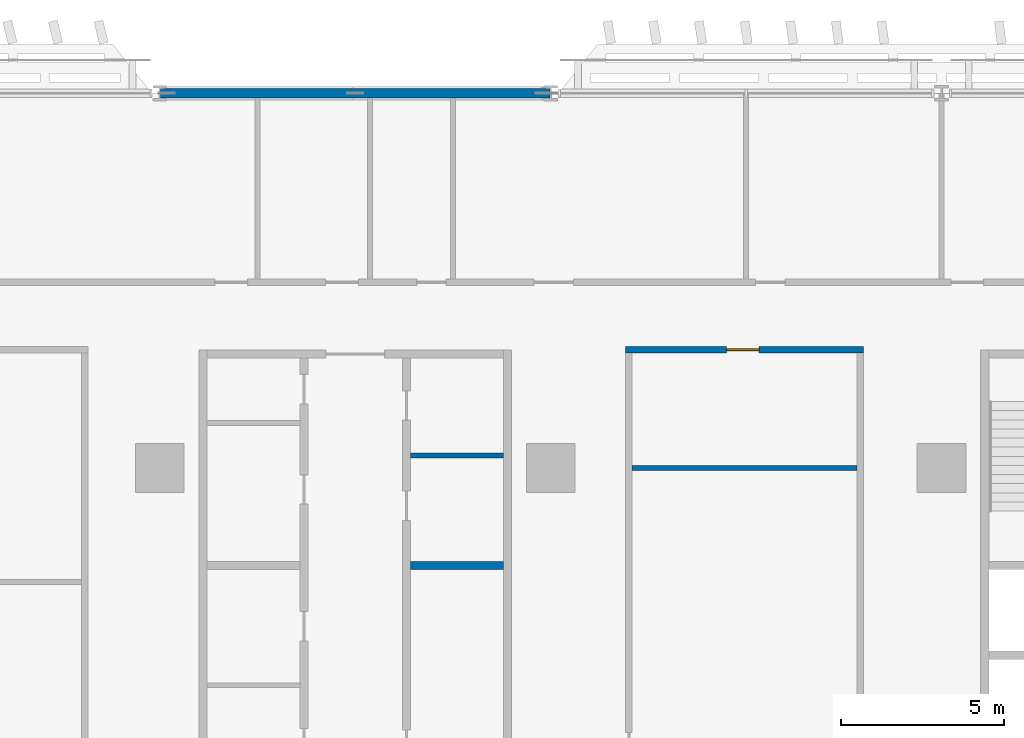
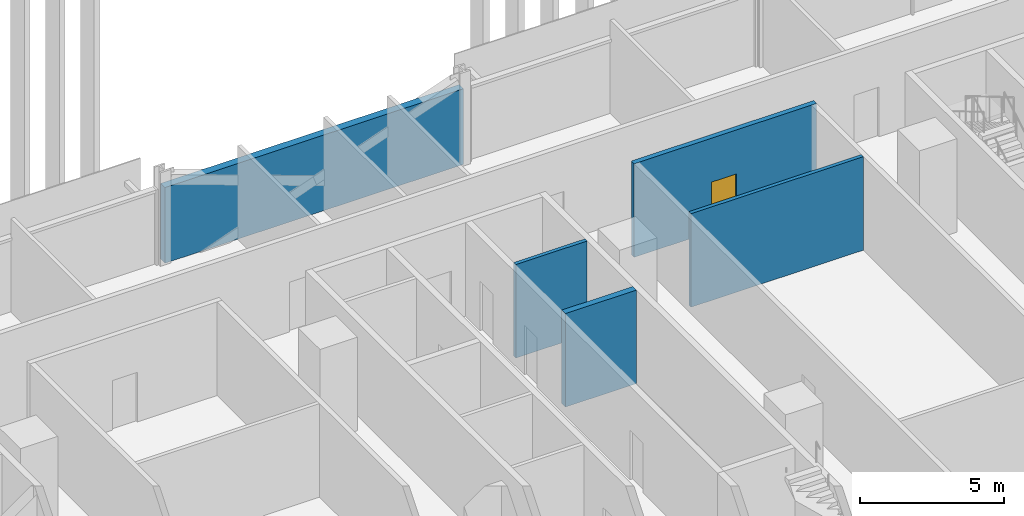
# One storey, part 12 of 29: 5 walls, 1 door, 1 opening.
"""IFC4 building model written with IfcOpenShell, lengths in metres."""

from ifc_helpers import new_model, si_unit, direction, frame, frame_2d, origin, place, context, subcontext, project, spatial, rectangle, extrude, material, layer, layer_set, type_object, element, fill, save


model = new_model("IFC4")

# Units and contexts
model_context = context("Model", 3, precision=1e-05, world=origin(), true_north=direction((0.0, 1.0)))
body_context = subcontext(model_context, "Body", "Model", "MODEL_VIEW")
ifc_project = project(units=[si_unit("LENGTHUNIT", "METRE"), si_unit("AREAUNIT", "SQUARE_METRE"), si_unit("VOLUMEUNIT", "CUBIC_METRE"), si_unit("PLANEANGLEUNIT", "RADIAN"), si_unit("MASSUNIT", "GRAM", prefix="KILO")], contexts=[model_context])

# Site, building, storey
site_placement = place(None, origin())
site = spatial("IfcSite", under=ifc_project, at=site_placement, CompositionType="ELEMENT")
building_placement = place(site_placement, origin())
building = spatial("IfcBuilding", under=site, at=building_placement, Name="Mahtab Terrace Research Tower", CompositionType="ELEMENT")
storey_placement = place(building_placement, frame((0.0, 0.0, 46.0)))
storey = spatial("IfcBuildingStorey", under=building, at=storey_placement, Name="L10", CompositionType="ELEMENT", Elevation=46.0)

# Walls
ifc_material_1 = material(Name="Gypsum board partition")
ifc_layer_1 = layer(ifc_material_1, 0.14990234375)
ifc_layer_set_1 = layer_set([ifc_layer_1], Name="Core partition 150")
wall_type_1 = type_object("IfcWallType", Name="Core partition 150", PredefinedType="PARTITIONING", material=ifc_layer_set_1)
wall_1_placement = place(storey_placement, frame((1.699951171875, 11.875, 0.0), z_axis=(0.0, 0.0, 1.0), x_axis=(1.0, 0.0, 0.0)))
element("IfcWall", 1, at=wall_1_placement, inside=storey, type_object=wall_type_1, Name="Core wall B pEN888", PredefinedType="PARTITIONING", context=body_context, shape_type="SweptSolid", body=[
    extrude(rectangle(XDim=2.85009765625, YDim=0.14990234375, at=frame_2d((1.425048828125, 0.0))), origin(), (0.0, 0.0, 1.0), 3.9599609375),
])
ifc_material_2 = material(Name="Concrete C70/85", Category="concrete")
ifc_layer_2 = layer(ifc_material_2, 0.25)
ifc_layer_set_2 = layer_set([ifc_layer_2], Name="Core wall 250")
wall_type_2 = type_object("IfcWallType", Name="Core wall 250", PredefinedType="SOLIDWALL", material=ifc_layer_set_2)
wall_2_placement = place(storey_placement, frame((1.699951171875, 8.5, 0.0), z_axis=(0.0, 0.0, 1.0), x_axis=(1.0, 0.0, 0.0)))
element("IfcWall", 2, at=wall_2_placement, inside=storey, type_object=wall_type_2, Name="Core wall B divE4", PredefinedType="SOLIDWALL", context=body_context, shape_type="SweptSolid", body=[
    extrude(rectangle(XDim=2.85009765625, YDim=0.25, at=frame_2d((1.425048828125, 0.0))), origin(), (0.0, 0.0, 1.0), 3.9599609375),
])
ifc_material_3 = material(Name="Black aluminium cladding panel", Category="aluminium")
ifc_layer_3 = layer(ifc_material_3, 0.300048828125)
ifc_layer_set_3 = layer_set([ifc_layer_3], Name="Opaque facade wall 300")
wall_type_3 = type_object("IfcWallType", Name="Opaque facade wall 300", PredefinedType="NOTDEFINED", material=ifc_layer_set_3)
wall_3_placement = place(storey_placement, frame((5.97607421875, 23.0, 0.0), z_axis=(0.0, 0.0, 1.0), x_axis=(-1.0, 0.0, 0.0)))
element("IfcWall", 3, at=wall_3_placement, inside=storey, type_object=wall_type_3, Name="Opaque facade wall L10 N7", PredefinedType="NOTDEFINED", context=body_context, shape_type="SweptSolid", body=[
    extrude(rectangle(XDim=11.9521484375, YDim=0.300048828125, at=frame_2d((5.97607421875, 0.0))), origin(), (0.0, 0.0, 1.0), 3.203125),
])

# Wall, opening, door
ifc_material_4 = material(Name="Gypsum board corridor wall on steel studs", Category="steel")
ifc_layer_4 = layer(ifc_material_4, 0.199951171875)
ifc_layer_set_4 = layer_set([ifc_layer_4], Name="WALL CORRIDOR 200")
wall_type_4 = type_object("IfcWallType", Name="WALL CORRIDOR 200", PredefinedType="PARTITIONING", material=ifc_layer_set_4)
wall_4_placement = place(storey_placement, frame((8.300048828125, 15.125, 0.0), z_axis=(0.0, 0.0, 1.0), x_axis=(1.0, 0.0, 0.0)))
wall_4 = element("IfcWall", 4, at=wall_4_placement, inside=storey, type_object=wall_type_4, Name="L10-W024", PredefinedType="PARTITIONING", context=body_context, shape_type="SweptSolid", body=[
    extrude(rectangle(XDim=7.300048828125, YDim=0.199951171875, at=frame_2d((3.64990234375, 0.0))), origin(), (0.0, 0.0, 1.0), 3.9599609375),
])
opening_placement = place(wall_4_placement, frame((3.10009765625, 0.0, 0.0)))
opening = element("IfcOpeningElement", 5, at=opening_placement, cuts=wall_4, Name="Opening L10-133", PredefinedType="OPENING", context=body_context, shape_type="SweptSolid", body=[
    extrude(rectangle(XDim=1.0, YDim=2.10009765625, at=frame_2d((0.5, 1.050048828125))), frame((0.0, 0.10986328125, 0.0), z_axis=(0.0, -1.0, 0.0), x_axis=(1.0, 0.0, 0.0)), (0.0, 0.0, 1.0), 0.219970703125),
])
ifc_material_5 = material(Name="Timber door leaf in steel frame", Category="steel")
door_type = type_object("IfcDoorType", Name="DOOR 1000X2100 FD30S", OperationType="SINGLE_SWING_LEFT", PredefinedType="DOOR", material=ifc_material_5)
door_placement = place(opening_placement, origin())
door = element("IfcDoor", 6, at=door_placement, inside=storey, type_object=door_type, Name="Door L10-133", OperationType="SINGLE_SWING_RIGHT", OverallHeight=2.10009765625, OverallWidth=1.0, PredefinedType="DOOR", context=body_context, shape_type="SweptSolid", body=[
    extrude(rectangle(XDim=1.0, YDim=2.10009765625, at=frame_2d((0.5, 1.050048828125))), frame((0.0, 0.02490234375, 0.0), z_axis=(0.0, -1.0, 0.0), x_axis=(1.0, 0.0, 0.0)), (0.0, 0.0, 1.0), 0.050048828125),
])
fill(opening, door)

# Wall
ifc_material_6 = material(Name="Gypsum board partition on steel studs", Category="steel")
ifc_layer_5 = layer(ifc_material_6, 0.14990234375)
ifc_layer_set_5 = layer_set([ifc_layer_5], Name="WALL PARTITION 150")
wall_type_5 = type_object("IfcWallType", Name="WALL PARTITION 150", PredefinedType="PARTITIONING", material=ifc_layer_set_5)
wall_5_placement = place(storey_placement, frame((8.5, 11.5, 0.0), z_axis=(0.0, 0.0, 1.0), x_axis=(1.0, 0.0, 0.0)))
element("IfcWall", 7, at=wall_5_placement, inside=storey, type_object=wall_type_5, Name="L10-W021", PredefinedType="PARTITIONING", context=body_context, shape_type="SweptSolid", body=[
    extrude(rectangle(XDim=6.89990234375, YDim=0.14990234375, at=frame_2d((3.449951171875, 0.0))), origin(), (0.0, 0.0, 1.0), 3.9599609375),
])

save(model, "model.ifc")
